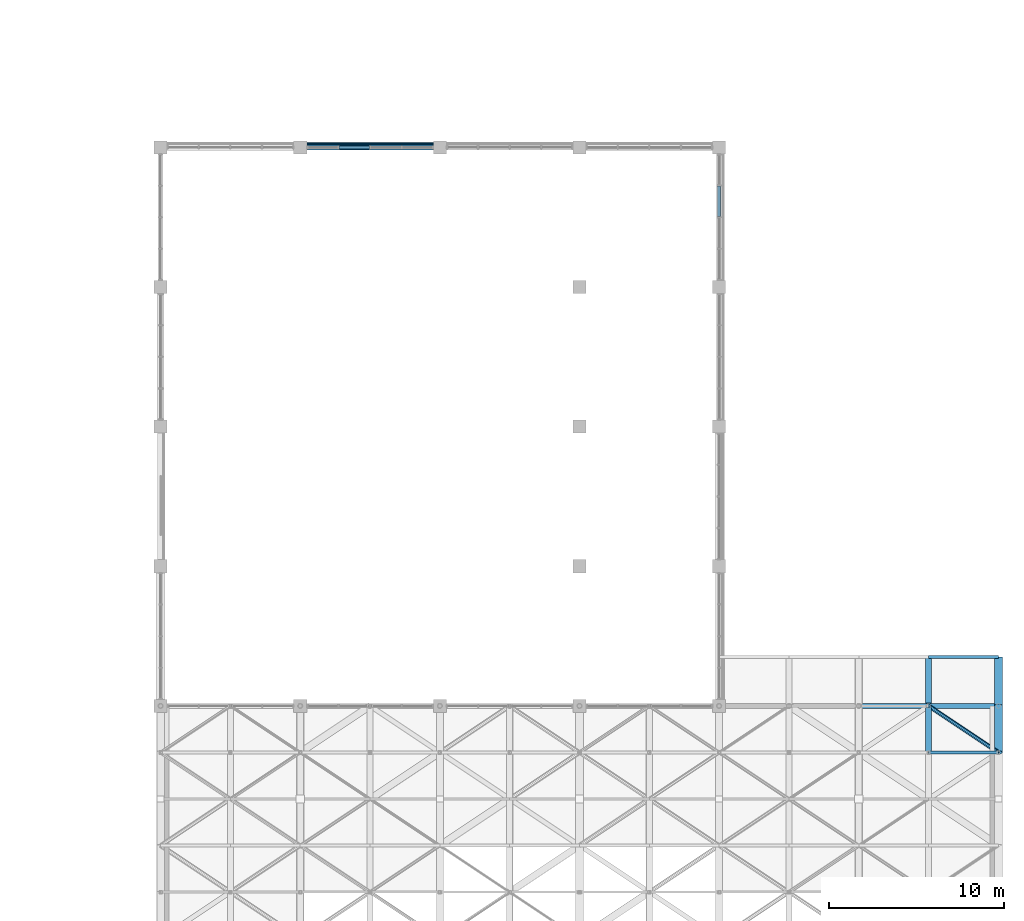
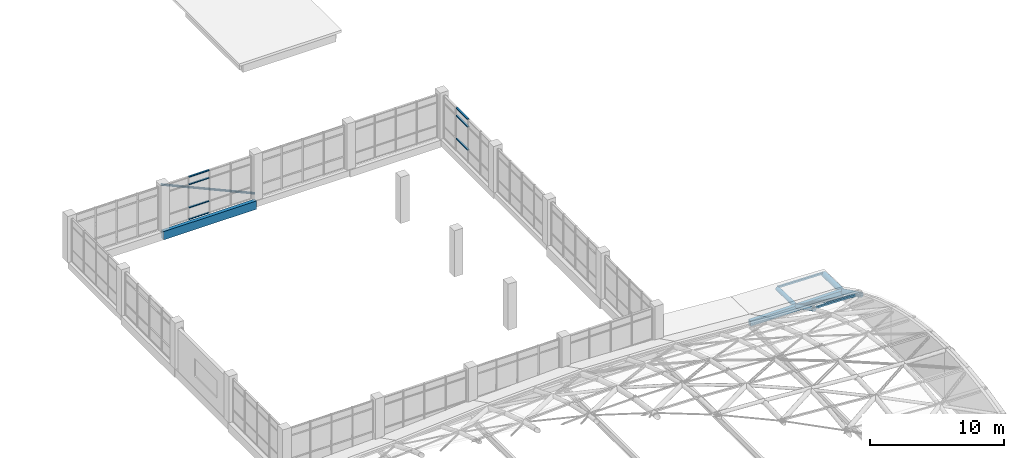
# One storey, part 36 of 72: 11 members, 6 beams, 2 elements without a shape of their own.
"""IFC4 building model written with IfcOpenShell, lengths in metres."""

from ifc_helpers import new_model, si_unit, direction, frame, origin, origin_2d, place, context, subcontext, project, spatial, rectangle, hollow_rectangle, hollow_circle, extrude, material, material_profile, profile_set, type_object, element, aggregate, save


model = new_model("IFC4")

# Units and contexts
model_context = context("Model", 3, precision=1e-05, world=origin(), true_north=direction((0.0, 1.0)))
body_context = subcontext(model_context, "Body", "Model", "MODEL_VIEW")
ifc_project = project(units=[si_unit("LENGTHUNIT", "METRE"), si_unit("AREAUNIT", "SQUARE_METRE"), si_unit("VOLUMEUNIT", "CUBIC_METRE"), si_unit("PLANEANGLEUNIT", "RADIAN"), si_unit("MASSUNIT", "GRAM", prefix="KILO")], contexts=[model_context])

# Site, building, storey
site_placement = place(None, origin())
site = spatial("IfcSite", under=ifc_project, at=site_placement, CompositionType="ELEMENT")
building_placement = place(site_placement, origin())
building = spatial("IfcBuilding", under=site, at=building_placement, Name="Tenunan Teduh Sports Hall", CompositionType="ELEMENT")
storey_placement = place(building_placement, frame((0.0, 0.0, 15.0)))
storey = spatial("IfcBuildingStorey", under=building, at=storey_placement, Name="L03", CompositionType="ELEMENT", Elevation=15.0)

# Beam
ifc_material_1 = material(Name="Concrete C40/50", Category="concrete")
ifc_material_profile_1 = material_profile(ifc_material_1, rectangle(XDim=0.300048828125, YDim=0.75, at=origin_2d()), Name="SPB 300x750")
ifc_profile_set_1 = profile_set([ifc_material_profile_1], Name="Concrete C40/50")
beam_type_1 = type_object("IfcBeamType", Name="BM-SP-300x750", PredefinedType="SPANDREL", material=ifc_profile_set_1)
beam_1_placement = place(storey_placement, frame((130.0, 78.0, -0.614990234375), z_axis=(1.0, 0.0, 0.0), x_axis=(0.0, 1.0, 0.0)))
element("IfcBeam", 1, at=beam_1_placement, inside=storey, type_object=beam_type_1, Name="BM-SP-01-L03-1831", PredefinedType="SPANDREL", context=body_context, shape_type="SweptSolid", body=[
    extrude(rectangle(XDim=0.300048828125, YDim=0.75, at=origin_2d()), origin(), (0.0, 0.0, 1.0), 8.0),
])

# Curtain wall, members
ifc_material_2 = material(Name="Anodised aluminium", Category="aluminium")
curtain_wall_type = type_object("IfcCurtainWallType", Name="CW-UNIT-2", PredefinedType="NOTDEFINED", material=ifc_material_2)
curtain_wall_1_placement = place(storey_placement, origin())
curtain_wall_1 = element("IfcCurtainWall", 2, at=curtain_wall_1_placement, inside=storey, type_object=curtain_wall_type, Name="CW-CWM-200-L03-140", PredefinedType="NOTDEFINED")
ifc_material_3 = material(Name="Anodised aluminium", Category="aluminium")
ifc_material_profile_2 = material_profile(ifc_material_3, rectangle(XDim=0.070068359375, YDim=0.159912109375, at=origin_2d()), Name="CWT 70x160")
ifc_profile_set_2 = profile_set([ifc_material_profile_2], Name="Anodised aluminium")
member_type_1 = type_object("IfcMemberType", Name="CWT-200", PredefinedType="USERDEFINED", material=ifc_profile_set_2)
member_1_placement = place(storey_placement, frame((132.222412109375, 78.0, 0.034912109375), z_axis=(1.0, 0.0, 0.0), x_axis=(0.0, 0.0, 1.0)))
member_1 = element("IfcMember", 3, at=member_1_placement, type_object=member_type_1, Name="CW-02 transom 2.1", ObjectType="TRANSOM", PredefinedType="USERDEFINED", context=body_context, shape_type="SweptSolid", body=[
    extrude(rectangle(XDim=0.070068359375, YDim=0.159912109375, at=origin_2d()), origin(), (0.0, 0.0, 1.0), 1.74267578125),
])
member_2_placement = place(storey_placement, frame((132.222412109375, 78.0, 1.10009765625), z_axis=(1.0, 0.0, 0.0), x_axis=(0.0, 0.0, 1.0)))
member_2 = element("IfcMember", 4, at=member_2_placement, type_object=member_type_1, Name="CW-02 transom 2.2", ObjectType="TRANSOM", PredefinedType="USERDEFINED", context=body_context, shape_type="SweptSolid", body=[
    extrude(rectangle(XDim=0.070068359375, YDim=0.159912109375, at=origin_2d()), origin(), (0.0, 0.0, 1.0), 1.74267578125),
])
member_3_placement = place(storey_placement, frame((132.222412109375, 78.0, 3.199951171875), z_axis=(1.0, 0.0, 0.0), x_axis=(0.0, 0.0, 1.0)))
member_3 = element("IfcMember", 5, at=member_3_placement, type_object=member_type_1, Name="CW-02 transom 2.3", ObjectType="TRANSOM", PredefinedType="USERDEFINED", context=body_context, shape_type="SweptSolid", body=[
    extrude(rectangle(XDim=0.070068359375, YDim=0.159912109375, at=origin_2d()), origin(), (0.0, 0.0, 1.0), 1.74267578125),
])
member_4_placement = place(storey_placement, frame((132.222412109375, 78.0, 3.885009765625), z_axis=(1.0, 0.0, 0.0), x_axis=(0.0, 0.0, 1.0)))
member_4 = element("IfcMember", 6, at=member_4_placement, type_object=member_type_1, Name="CW-02 transom 2.4", ObjectType="TRANSOM", PredefinedType="USERDEFINED", context=body_context, shape_type="SweptSolid", body=[
    extrude(rectangle(XDim=0.070068359375, YDim=0.159912109375, at=origin_2d()), origin(), (0.0, 0.0, 1.0), 1.74267578125),
])
aggregate(curtain_wall_1, [member_1, member_2, member_3, member_4])

curtain_wall_2_placement = place(storey_placement, origin())
curtain_wall_2 = element("IfcCurtainWall", 7, at=curtain_wall_2_placement, inside=storey, type_object=curtain_wall_type, Name="CW-CWM-200-L03-152", PredefinedType="NOTDEFINED")
member_5_placement = place(storey_placement, frame((154.0, 74.034912109375, 1.10009765625), z_axis=(0.0, 1.0, 0.0), x_axis=(0.0, 0.0, 1.0)))
member_5 = element("IfcMember", 8, at=member_5_placement, type_object=member_type_1, Name="CW-02 transom 3.2", ObjectType="TRANSOM", PredefinedType="USERDEFINED", context=body_context, shape_type="SweptSolid", body=[
    extrude(rectangle(XDim=0.070068359375, YDim=0.159912109375, at=origin_2d()), origin(), (0.0, 0.0, 1.0), 1.74267578125),
])
member_6_placement = place(storey_placement, frame((154.0, 74.034912109375, 3.199951171875), z_axis=(0.0, 1.0, 0.0), x_axis=(0.0, 0.0, 1.0)))
member_6 = element("IfcMember", 9, at=member_6_placement, type_object=member_type_1, Name="CW-02 transom 3.3", ObjectType="TRANSOM", PredefinedType="USERDEFINED", context=body_context, shape_type="SweptSolid", body=[
    extrude(rectangle(XDim=0.070068359375, YDim=0.159912109375, at=origin_2d()), origin(), (0.0, 0.0, 1.0), 1.74267578125),
])
member_7_placement = place(storey_placement, frame((154.0, 74.034912109375, 3.885009765625), z_axis=(0.0, 1.0, 0.0), x_axis=(0.0, 0.0, 1.0)))
member_7 = element("IfcMember", 10, at=member_7_placement, type_object=member_type_1, Name="CW-02 transom 3.4", ObjectType="TRANSOM", PredefinedType="USERDEFINED", context=body_context, shape_type="SweptSolid", body=[
    extrude(rectangle(XDim=0.070068359375, YDim=0.159912109375, at=origin_2d()), origin(), (0.0, 0.0, 1.0), 1.74267578125),
])
aggregate(curtain_wall_2, [member_5, member_6, member_7])

# Beams
ifc_material_4 = material(Name="Steel S355", Category="steel")
ifc_material_profile_3 = material_profile(ifc_material_4, hollow_circle(Radius=0.177734375, WallThickness=0.012451171875, at=origin_2d()), Name="CHS 355.6x12.5")
ifc_profile_set_3 = profile_set([ifc_material_profile_3], Name="Steel S355")
beam_type_2 = type_object("IfcBeamType", Name="GSB-CHS356", PredefinedType="BEAM", material=ifc_profile_set_3)
beam_2_placement = place(storey_placement, frame((166.0, 43.333251953125, 1.0458984375), z_axis=(0.0, 0.893958432616, -0.448149886483), x_axis=(-1.0, 0.0, 0.0)))
element("IfcBeam", 11, at=beam_2_placement, inside=storey, type_object=beam_type_2, Name="Gridshell Vault Arch BM-GR-04-L03-0226", PredefinedType="BEAM", context=body_context, shape_type="SweptSolid", body=[
    extrude(hollow_circle(Radius=0.177734375, WallThickness=0.012451171875, at=origin_2d()), origin(), (0.0, 0.0, 1.0), 2.8154296875),
])
beam_3_placement = place(storey_placement, frame((166.0, 46.14990234375, -0.3017578125), z_axis=(0.0, 0.999521285082, -0.030938659769), x_axis=(-1.0, 0.0, 0.0)))
element("IfcBeam", 12, at=beam_3_placement, inside=storey, type_object=beam_type_2, Name="Gridshell Vault Arch BM-GR-04-L03-0227", PredefinedType="BEAM", context=body_context, shape_type="SweptSolid", body=[
    extrude(hollow_circle(Radius=0.177734375, WallThickness=0.012451171875, at=origin_2d()), origin(), (0.0, 0.0, 1.0), 2.6513671875),
])
ifc_material_5 = material(Name="Steel S355", Category="steel")
ifc_material_profile_4 = material_profile(ifc_material_5, hollow_circle(Radius=0.228515625, WallThickness=0.01611328125, at=origin_2d()), Name="CHS 457.0x16.0")
ifc_profile_set_4 = profile_set([ifc_material_profile_4], Name="Steel S355")
beam_type_3 = type_object("IfcBeamType", Name="GSB-CHS457", PredefinedType="BEAM", material=ifc_profile_set_4)
beam_4_placement = place(storey_placement, frame((170.0, 43.333251953125, 0.9638671875), z_axis=(0.0, 0.893033000477, -0.449991177756), x_axis=(-1.0, 0.0, 0.0)))
element("IfcBeam", 13, at=beam_4_placement, inside=storey, type_object=beam_type_3, Name="Gridshell Vault Arch BM-GA-01-L03-0240", PredefinedType="BEAM", context=body_context, shape_type="SweptSolid", body=[
    extrude(hollow_circle(Radius=0.228515625, WallThickness=0.01611328125, at=origin_2d()), origin(), (0.0, 0.0, 1.0), 2.986083984375),
])
beam_5_placement = place(storey_placement, frame((170.0, 46.0, -0.3798828125), z_axis=(0.0, 0.999529350566, -0.030676984166), x_axis=(-1.0, 0.0, 0.0)))
element("IfcBeam", 14, at=beam_5_placement, inside=storey, type_object=beam_type_3, Name="Gridshell Vault Arch BM-GA-01-L03-0241", PredefinedType="BEAM", context=body_context, shape_type="SweptSolid", body=[
    extrude(hollow_circle(Radius=0.228515625, WallThickness=0.01611328125, at=origin_2d()), origin(), (0.0, 0.0, 1.0), 2.80126953125),
])

# Members
ifc_material_6 = material(Name="Steel S355", Category="steel")
ifc_material_profile_5 = material_profile(ifc_material_6, hollow_circle(Radius=0.096923828125, WallThickness=0.008056640625, at=origin_2d()), Name="CHS 193.7x8.0")
ifc_profile_set_5 = profile_set([ifc_material_profile_5], Name="Steel S355")
member_type_2 = type_object("IfcMemberType", Name="MEM-BR-CHS194", PredefinedType="BRACE", material=ifc_profile_set_5)
member_8_placement = place(storey_placement, frame((138.0, 78.18994140625, 0.25), z_axis=(-0.91191733938, 0.0, 0.410373934525), x_axis=(0.0, -1.0, 0.0)))
element("IfcMember", 15, at=member_8_placement, inside=storey, type_object=member_type_2, Name="MEM-GD-03-L03-1095", PredefinedType="BRACE", context=body_context, shape_type="SweptSolid", body=[
    extrude(hollow_circle(Radius=0.096923828125, WallThickness=0.008056640625, at=origin_2d()), origin(), (0.0, 0.0, 1.0), 8.772705078125),
])
ifc_material_7 = material(Name="Steel S355", Category="steel")
ifc_material_profile_6 = material_profile(ifc_material_7, hollow_circle(Radius=0.122314453125, WallThickness=0.010009765625, at=origin_2d()), Name="CHS 244.5x10.0")
ifc_profile_set_6 = profile_set([ifc_material_profile_6], Name="Steel S355")
member_type_3 = type_object("IfcMemberType", Name="MEM-BR-CHS245", PredefinedType="BRACE", material=ifc_profile_set_6)
member_9_placement = place(storey_placement, frame((166.0, 46.0, -0.2978515625), z_axis=(0.804786955683, -0.536541010555, 0.253853697935), x_axis=(0.554711915519, 0.832042481356, 0.0)))
element("IfcMember", 16, at=member_9_placement, inside=storey, type_object=member_type_3, Name="MEM-GD-01-L03-0407", PredefinedType="BRACE", context=body_context, shape_type="SweptSolid", body=[
    extrude(hollow_circle(Radius=0.122314453125, WallThickness=0.010009765625, at=origin_2d()), origin(), (0.0, 0.0, 1.0), 4.97021484375),
])
ifc_material_8 = material(Name="Steel S355", Category="steel")
ifc_material_profile_7 = material_profile(ifc_material_8, hollow_rectangle(XDim=0.14990234375, YDim=0.14990234375, WallThickness=0.008056640625, at=origin_2d()), Name="SHS 150x150x8.0")
ifc_profile_set_7 = profile_set([ifc_material_profile_7], Name="Steel S355")
member_type_4 = type_object("IfcMemberType", Name="MEM-PR-SHS150", PredefinedType="PURLIN", material=ifc_profile_set_7)
for number, where, z_axis, x_axis, name in (
    (17, (166.0, 43.333251953125, 1.165771484375), (0.99978978112, 0.0, -0.020503501371), (0.0, 1.0, 0.0), "MEM-PR-01-L03-0394"),
    (18, (166.0, 48.800048828125, -0.263916015625), (0.99978978112, 0.0, -0.020503501371), (0.0, 1.0, 0.0), "MEM-PR-01-L03-0395"),
):
    element("IfcMember", number, at=place(storey_placement, frame(where, z_axis=z_axis, x_axis=x_axis)), inside=storey, type_object=member_type_4, Name=name, PredefinedType="PURLIN", context=body_context, shape_type="SweptSolid", body=[
        extrude(hollow_rectangle(XDim=0.14990234375, YDim=0.14990234375, WallThickness=0.008056640625, at=origin_2d()), origin(), (0.0, 0.0, 1.0), 4.000732421875),
    ])

# Beam
ifc_material_9 = material(Name="Steel S355", Category="steel")
ifc_material_profile_8 = material_profile(ifc_material_9, hollow_rectangle(XDim=0.300048828125, YDim=0.5, WallThickness=0.01611328125, at=origin_2d()), Name="RHS 500x300x16.0")
ifc_profile_set_8 = profile_set([ifc_material_profile_8], Name="Steel S355")
beam_type_4 = type_object("IfcBeamType", Name="RBM-RHS500", PredefinedType="SPANDREL", material=ifc_profile_set_8)
beam_6_placement = place(storey_placement, frame((162.0, 46.0, -0.409912109375), z_axis=(1.0, 0.0, 0.0), x_axis=(0.0, 1.0, 0.0)))
element("IfcBeam", 19, at=beam_6_placement, inside=storey, type_object=beam_type_4, Name="Perimeter Ring Beam BM-RB-01-L03-0055", PredefinedType="SPANDREL", context=body_context, shape_type="SweptSolid", body=[
    extrude(hollow_rectangle(XDim=0.300048828125, YDim=0.5, WallThickness=0.01611328125, at=origin_2d()), origin(), (0.0, 0.0, 1.0), 8.0),
])

save(model, "model.ifc")
